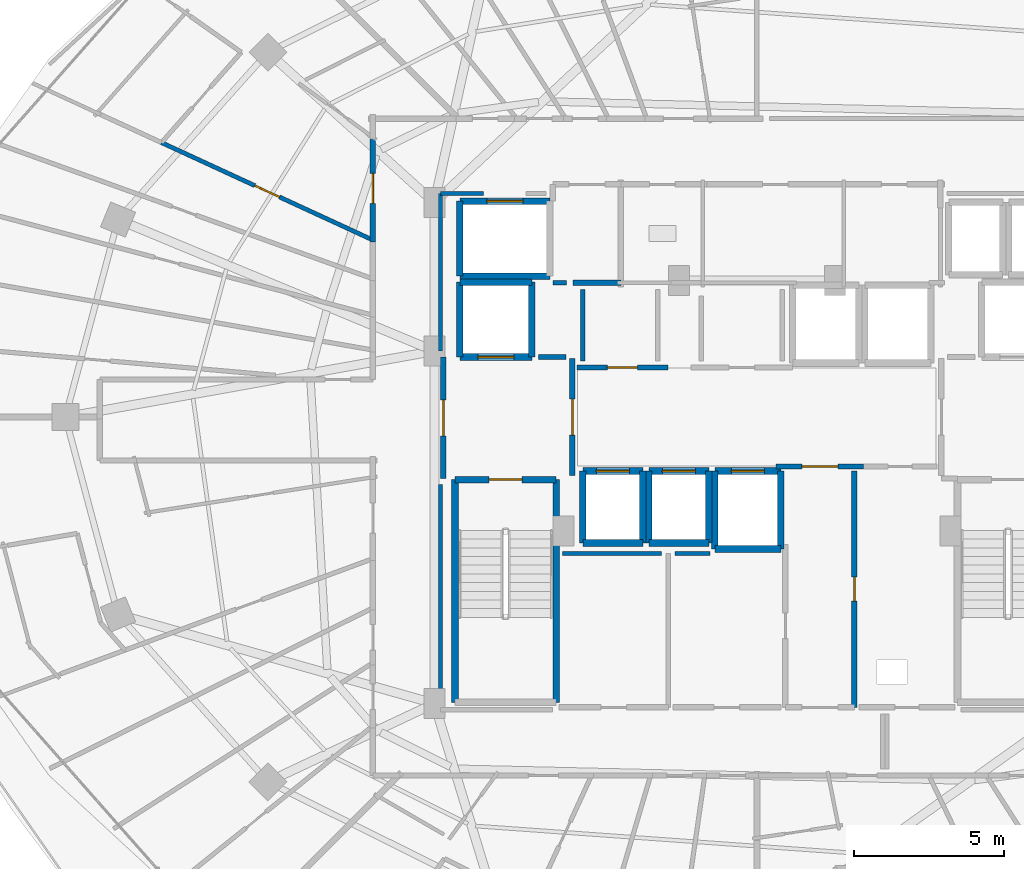
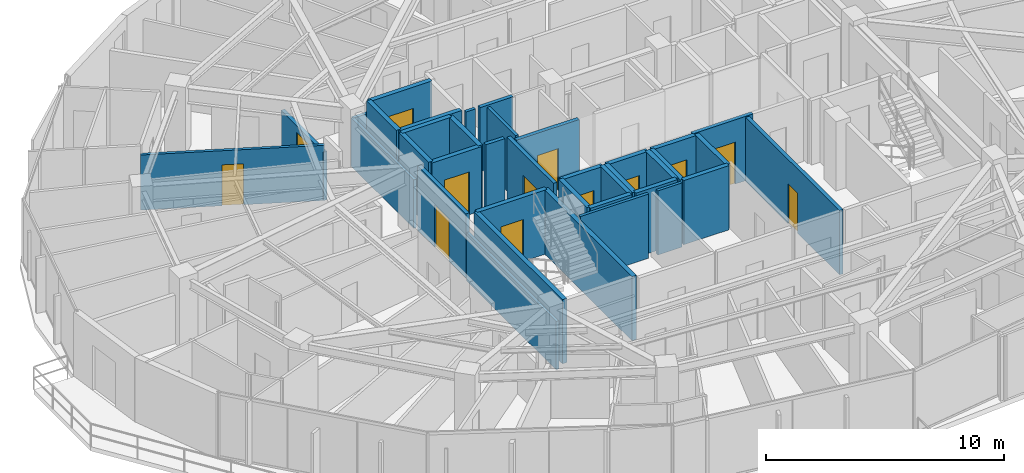
# One storey, part 26 of 33: 38 walls, 13 doors, 13 openings.
"""IFC4 building model written with IfcOpenShell, lengths in metres."""

from ifc_helpers import new_model, si_unit, direction, frame, frame_2d, origin, place, context, subcontext, project, spatial, rectangle, extrude, material, layer, layer_set, type_object, element, fill, save


model = new_model("IFC4")

# Units and contexts
model_context = context("Model", 3, precision=1e-05, world=origin(), true_north=direction((0.0, 1.0)))
body_context = subcontext(model_context, "Body", "Model", "MODEL_VIEW")
ifc_project = project(units=[si_unit("LENGTHUNIT", "METRE"), si_unit("AREAUNIT", "SQUARE_METRE"), si_unit("VOLUMEUNIT", "CUBIC_METRE"), si_unit("PLANEANGLEUNIT", "RADIAN"), si_unit("MASSUNIT", "GRAM", prefix="KILO")], contexts=[model_context])

# Site, building, storey
site_placement = place(None, origin())
site = spatial("IfcSite", under=ifc_project, at=site_placement, CompositionType="ELEMENT")
building_placement = place(site_placement, origin())
building = spatial("IfcBuilding", under=site, at=building_placement, Name="Vorneva Point Tower", CompositionType="ELEMENT")
storey_placement = place(building_placement, frame((0.0, 0.0, 200.10009765625)))
storey = spatial("IfcBuildingStorey", under=building, at=storey_placement, Name="L54", CompositionType="ELEMENT", Elevation=200.10009765625)

# Wall, opening, door
ifc_material_1 = material(Name="Concrete B60 (C50/60)", Category="concrete")
ifc_layer_1 = layer(ifc_material_1, 0.35009765625)
ifc_layer_set_1 = layer_set([ifc_layer_1], Name="Concrete B60 (C50/60)")
wall_type_1 = type_object("IfcWallType", Name="WL-CORE-350", PredefinedType="SHEAR", material=ifc_layer_set_1)
wall_1_placement = place(storey_placement, frame((28.10009765625, 28.0, 0.0), z_axis=(0.0, 0.0, 1.0), x_axis=(1.0, 0.0, 0.0)))
wall_1 = element("IfcWall", 1, at=wall_1_placement, inside=storey, type_object=wall_type_1, Name="L54 Lift FFL1 Shaft Wall -Y", PredefinedType="SHEAR", context=body_context, shape_type="SweptSolid", body=[
    extrude(rectangle(XDim=2.39990234375, YDim=0.219970703125, at=frame_2d((1.199951171875, 0.0))), origin(), (0.0, 0.0, 1.0), 3.289794921875),
])
opening_1_placement = place(wall_1_placement, frame((0.60009765625, 0.0, 0.0)))
opening_1 = element("IfcOpeningElement", 2, at=opening_1_placement, cuts=wall_1, Name="Opening LD-02", PredefinedType="OPENING", context=body_context, shape_type="SweptSolid", body=[
    extrude(rectangle(XDim=1.199951171875, YDim=2.199951171875, at=frame_2d((0.60009765625, 1.10009765625))), frame((0.0, 0.125, 0.0), z_axis=(0.0, -1.0, 0.0), x_axis=(1.0, 0.0, 0.0)), (0.0, 0.0, 1.0), 0.249755859375),
])
ifc_material_2 = material(Name="Brushed stainless steel S304", Category="steel")
door_type_1 = type_object("IfcDoorType", Name="LD-FIRE-1200", OperationType="SLIDING_TO_LEFT", PredefinedType="DOOR", material=ifc_material_2)
door_1_placement = place(opening_1_placement, origin())
door_1 = element("IfcDoor", 3, at=door_1_placement, inside=storey, type_object=door_type_1, Name="L54 Lift FFL1 Sliding Landing Door", OperationType="SLIDING_TO_LEFT", OverallHeight=2.199951171875, OverallWidth=1.199951171875, PredefinedType="DOOR", context=body_context, shape_type="SweptSolid", body=[
    extrude(rectangle(XDim=1.199951171875, YDim=2.199951171875, at=frame_2d((0.60009765625, 1.10009765625))), frame((0.0, 0.02490234375, 0.0), z_axis=(0.0, -1.0, 0.0), x_axis=(1.0, 0.0, 0.0)), (0.0, 0.0, 1.0), 0.050048828125),
])
fill(opening_1, door_1)

# Walls
wall_2_placement = place(storey_placement, frame((30.5, 28.0, 0.0), z_axis=(0.0, 0.0, 1.0), x_axis=(0.0, 1.0, 0.0)))
element("IfcWall", 4, at=wall_2_placement, inside=storey, type_object=wall_type_1, Name="L54 Lift FFL1 Shaft Wall +X", PredefinedType="SHEAR", context=body_context, shape_type="SweptSolid", body=[
    extrude(rectangle(XDim=2.5, YDim=0.219970703125, at=frame_2d((1.25, 0.0))), origin(), (0.0, 0.0, 1.0), 3.289794921875),
])
wall_3_placement = place(storey_placement, frame((30.5, 30.5, 0.0), z_axis=(0.0, 0.0, 1.0), x_axis=(-1.0, 0.0, 0.0)))
element("IfcWall", 5, at=wall_3_placement, inside=storey, type_object=wall_type_1, Name="L54 Lift FFL1 Shaft Wall +Y", PredefinedType="SHEAR", context=body_context, shape_type="SweptSolid", body=[
    extrude(rectangle(XDim=2.39990234375, YDim=0.219970703125, at=frame_2d((1.199951171875, 0.0))), origin(), (0.0, 0.0, 1.0), 3.289794921875),
])
wall_4_placement = place(storey_placement, frame((28.10009765625, 30.5, 0.0), z_axis=(0.0, 0.0, 1.0), x_axis=(0.0, -1.0, 0.0)))
element("IfcWall", 6, at=wall_4_placement, inside=storey, type_object=wall_type_1, Name="L54 Lift FFL1 Shaft Wall -X", PredefinedType="SHEAR", context=body_context, shape_type="SweptSolid", body=[
    extrude(rectangle(XDim=2.5, YDim=0.219970703125, at=frame_2d((1.25, 0.0))), origin(), (0.0, 0.0, 1.0), 3.289794921875),
])

# Wall, opening, door
ifc_material_3 = material(Name="Fire-rated acoustic gypsum stud partition", Category="gypsum")
ifc_layer_2 = layer(ifc_material_3, 0.139892578125)
ifc_layer_set_2 = layer_set([ifc_layer_2], Name="Fire-rated acoustic gypsum stud partition")
wall_type_2 = type_object("IfcWallType", Name="WL-PART-140", PredefinedType="PARTITIONING", material=ifc_layer_set_2)
wall_5_placement = place(storey_placement, frame((18.15185546875, 35.14990234375, 0.0), z_axis=(0.0, 0.0, 1.0), x_axis=(0.908152637685, -0.418639208227, 0.0)))
wall_5 = element("IfcWall", 7, at=wall_5_placement, inside=storey, type_object=wall_type_2, Name="L54 Interior Partition 094", PredefinedType="PARTITIONING", context=body_context, shape_type="SweptSolid", body=[
    extrude(rectangle(XDim=7.760986328125, YDim=0.139892578125, at=frame_2d((3.88037109375, 0.0))), origin(), (0.0, 0.0, 1.0), 2.823974609375),
])
opening_2_placement = place(wall_5_placement, frame((3.430419921875, 0.0, 0.0)))
opening_2 = element("IfcOpeningElement", 8, at=opening_2_placement, cuts=wall_5, Name="Opening ID-01", PredefinedType="OPENING", context=body_context, shape_type="SweptSolid", body=[
    extrude(rectangle(XDim=0.89990234375, YDim=2.10009765625, at=frame_2d((0.449951171875, 1.050048828125))), frame((0.0, 0.0849609375, 0.0), z_axis=(0.0, -1.0, 0.0), x_axis=(1.0, 0.0, 0.0)), (0.0, 0.0, 1.0), 0.169677734375),
])
ifc_material_4 = material(Name="Engineered oak fire-rated door leaf", Category="wood")
door_type_2 = type_object("IfcDoorType", Name="DR-ROOM-900", OperationType="NOTDEFINED", PredefinedType="DOOR", material=ifc_material_4)
door_2_placement = place(opening_2_placement, origin())
door_2 = element("IfcDoor", 9, at=door_2_placement, inside=storey, type_object=door_type_2, Name="L54 Door Living and Dining Room L54-02 / Master Bedroom L54-02.1", OperationType="SINGLE_SWING_RIGHT", OverallHeight=2.10009765625, OverallWidth=0.89990234375, PredefinedType="DOOR", context=body_context, shape_type="SweptSolid", body=[
    extrude(rectangle(XDim=0.89990234375, YDim=2.10009765625, at=frame_2d((0.449951171875, 1.050048828125))), frame((0.0, 0.02490234375, 0.0), z_axis=(0.0, -1.0, 0.0), x_axis=(1.0, 0.0, 0.0)), (0.0, 0.0, 1.0), 0.050048828125),
])
fill(opening_2, door_2)

# Walls
wall_6_placement = place(storey_placement, frame((31.199951171875, 30.47998046875, 0.0), z_axis=(0.0, 0.0, 1.0), x_axis=(1.0, 0.0, 0.0)))
element("IfcWall", 10, at=wall_6_placement, inside=storey, type_object=wall_type_2, Name="L54 Interior Closure Partition 154", PredefinedType="PARTITIONING", context=body_context, shape_type="SweptSolid", body=[
    extrude(rectangle(XDim=0.449951171875, YDim=0.139892578125, at=frame_2d((0.22509765625, 0.0))), origin(), (0.0, 0.0, 1.0), 3.289794921875),
])
wall_7_placement = place(storey_placement, frame((34.830078125, 21.449951171875, 0.0), z_axis=(0.0, 0.0, 1.0), x_axis=(-1.0, 0.0, 0.0)))
element("IfcWall", 11, at=wall_7_placement, inside=storey, type_object=wall_type_2, Name="L54 Interior Closure Partition 158", PredefinedType="PARTITIONING", context=body_context, shape_type="SweptSolid", body=[
    extrude(rectangle(XDim=3.300048828125, YDim=0.139892578125, at=frame_2d((1.64990234375, 0.0))), origin(), (0.0, 0.0, 1.0), 3.289794921875),
])
wall_8_placement = place(storey_placement, frame((36.43896484375, 21.449951171875, 0.0), z_axis=(0.0, 0.0, 1.0), x_axis=(-1.0, 0.0, 0.0)))
element("IfcWall", 12, at=wall_8_placement, inside=storey, type_object=wall_type_2, Name="L54 Interior Closure Partition 159", PredefinedType="PARTITIONING", context=body_context, shape_type="SweptSolid", body=[
    extrude(rectangle(XDim=1.158935546875, YDim=0.139892578125, at=frame_2d((0.57958984375, 0.0))), origin(), (0.0, 0.0, 1.0), 3.289794921875),
])
wall_9_placement = place(storey_placement, frame((32.199951171875, 30.260009765625, 0.0), z_axis=(0.0, 0.0, 1.0), x_axis=(0.0, -1.0, 0.0)))
element("IfcWall", 13, at=wall_9_placement, inside=storey, type_object=wall_type_2, Name="L54 Interior Closure Partition 160", PredefinedType="PARTITIONING", context=body_context, shape_type="SweptSolid", body=[
    extrude(rectangle(XDim=2.389892578125, YDim=0.139892578125, at=frame_2d((1.19482421875, 0.0))), origin(), (0.0, 0.0, 1.0), 3.289794921875),
])
wall_10_placement = place(storey_placement, frame((28.89404296875, 33.449951171875, 0.0), z_axis=(0.0, 0.0, 1.0), x_axis=(-1.0, 0.0, 0.0)))
element("IfcWall", 14, at=wall_10_placement, inside=storey, type_object=wall_type_2, Name="L54 Interior Closure Partition 169", PredefinedType="PARTITIONING", context=body_context, shape_type="SweptSolid", body=[
    extrude(rectangle(XDim=1.444091796875, YDim=0.139892578125, at=frame_2d((0.72216796875, 0.0))), origin(), (0.0, 0.0, 1.0), 2.48193359375),
])
wall_11_placement = place(storey_placement, frame((27.449951171875, 33.449951171875, 0.0), z_axis=(0.0, 0.0, 1.0), x_axis=(0.0, -1.0, 0.0)))
element("IfcWall", 15, at=wall_11_placement, inside=storey, type_object=wall_type_2, Name="L54 Interior Closure Partition 170", PredefinedType="PARTITIONING", context=body_context, shape_type="SweptSolid", body=[
    extrude(rectangle(XDim=5.25390625, YDim=0.139892578125, at=frame_2d((2.626953125, 0.0))), origin(), (0.0, 0.0, 1.0), 2.48193359375),
])
wall_12_placement = place(storey_placement, frame((27.449951171875, 23.75390625, 0.0), z_axis=(0.0, 0.0, 1.0), x_axis=(0.0, -1.0, 0.0)))
element("IfcWall", 16, at=wall_12_placement, inside=storey, type_object=wall_type_2, Name="L54 Interior Closure Partition 171", PredefinedType="PARTITIONING", context=body_context, shape_type="SweptSolid", body=[
    extrude(rectangle(XDim=7.513916015625, YDim=0.139892578125, at=frame_2d((3.7568359375, 0.0))), origin(), (0.0, 0.0, 1.0), 2.48193359375),
])

# Wall, opening, door
ifc_material_5 = material(Name="Autoclaved aerated concrete blockwork", Category="masonry")
ifc_layer_3 = layer(ifc_material_5, 0.179931640625)
ifc_layer_set_3 = layer_set([ifc_layer_3], Name="Autoclaved aerated concrete blockwork")
wall_type_3 = type_object("IfcWallType", Name="WL-PART-180", PredefinedType="PARTITIONING", material=ifc_layer_set_3)
wall_13_placement = place(storey_placement, frame((31.85009765625, 24.044921875, 0.0), z_axis=(0.0, 0.0, 1.0), x_axis=(0.0, 1.0, 0.0)))
wall_13 = element("IfcWall", 17, at=wall_13_placement, inside=storey, type_object=wall_type_3, Name="L54 Interior Partition 001", PredefinedType="PARTITIONING", context=body_context, shape_type="SweptSolid", body=[
    extrude(rectangle(XDim=3.91015625, YDim=0.179931640625, at=frame_2d((1.955078125, 0.0))), origin(), (0.0, 0.0, 1.0), 3.289794921875),
])
opening_3_placement = place(wall_13_placement, frame((1.35498046875, 0.0, 0.0)))
opening_3 = element("IfcOpeningElement", 18, at=opening_3_placement, cuts=wall_13, Name="Opening FD-02", PredefinedType="OPENING", context=body_context, shape_type="SweptSolid", body=[
    extrude(rectangle(XDim=1.199951171875, YDim=2.14990234375, at=frame_2d((0.60009765625, 1.074951171875))), frame((0.0, 0.10498046875, 0.0), z_axis=(0.0, -1.0, 0.0), x_axis=(1.0, 0.0, 0.0)), (0.0, 0.0, 1.0), 0.209716796875),
])
ifc_material_6 = material(Name="Fire-rated powder-coated steel", Category="steel")
door_type_3 = type_object("IfcDoorType", Name="DR-FFL-1200", OperationType="NOTDEFINED", PredefinedType="DOOR", material=ifc_material_6)
door_3_placement = place(opening_3_placement, origin())
door_3 = element("IfcDoor", 19, at=door_3_placement, inside=storey, type_object=door_type_3, Name="L54 Door West Firefighting Lobby / Central Lift Lobby", OperationType="SINGLE_SWING_RIGHT", OverallHeight=2.14990234375, OverallWidth=1.199951171875, PredefinedType="DOOR", context=body_context, shape_type="SweptSolid", body=[
    extrude(rectangle(XDim=1.199951171875, YDim=2.14990234375, at=frame_2d((0.60009765625, 1.074951171875))), frame((0.0, 0.02490234375, 0.0), z_axis=(0.0, -1.0, 0.0), x_axis=(1.0, 0.0, 0.0)), (0.0, 0.0, 1.0), 0.050048828125),
])
fill(opening_3, door_3)

wall_14_placement = place(storey_placement, frame((27.550048828125, 28.0, 0.0), z_axis=(0.0, 0.0, 1.0), x_axis=(0.0, -1.0, 0.0)))
wall_14 = element("IfcWall", 20, at=wall_14_placement, inside=storey, type_object=wall_type_3, Name="L54 Interior Partition 002", PredefinedType="PARTITIONING", context=body_context, shape_type="SweptSolid", body=[
    extrude(rectangle(XDim=4.050048828125, YDim=0.179931640625, at=frame_2d((2.02490234375, 0.0))), origin(), (0.0, 0.0, 1.0), 3.289794921875),
])
opening_4_placement = place(wall_14_placement, frame((1.425048828125, 0.0, 0.0)))
opening_4 = element("IfcOpeningElement", 21, at=opening_4_placement, cuts=wall_14, Name="Opening FD-02", PredefinedType="OPENING", context=body_context, shape_type="SweptSolid", body=[
    extrude(rectangle(XDim=1.199951171875, YDim=2.14990234375, at=frame_2d((0.60009765625, 1.074951171875))), frame((0.0, 0.10498046875, 0.0), z_axis=(0.0, -1.0, 0.0), x_axis=(1.0, 0.0, 0.0)), (0.0, 0.0, 1.0), 0.209716796875),
])
door_4_placement = place(opening_4_placement, origin())
door_4 = element("IfcDoor", 22, at=door_4_placement, inside=storey, type_object=door_type_3, Name="L54 Door West Firefighting Lobby / L54 Circulation Corridor", OperationType="SINGLE_SWING_RIGHT", OverallHeight=2.14990234375, OverallWidth=1.199951171875, PredefinedType="DOOR", context=body_context, shape_type="SweptSolid", body=[
    extrude(rectangle(XDim=1.199951171875, YDim=2.14990234375, at=frame_2d((0.60009765625, 1.074951171875))), frame((0.0, 0.02490234375, 0.0), z_axis=(0.0, -1.0, 0.0), x_axis=(1.0, 0.0, 0.0)), (0.0, 0.0, 1.0), 0.050048828125),
])
fill(opening_4, door_4)

# Wall
wall_15_placement = place(storey_placement, frame((31.8701171875, 30.47998046875, 0.0), z_axis=(0.0, 0.0, 1.0), x_axis=(1.0, 0.0, 0.0)))
element("IfcWall", 23, at=wall_15_placement, inside=storey, type_object=wall_type_3, Name="L54 Interior Partition 007", PredefinedType="PARTITIONING", context=body_context, shape_type="SweptSolid", body=[
    extrude(rectangle(XDim=1.599853515625, YDim=0.179931640625, at=frame_2d((0.7998046875, 0.0))), origin(), (0.0, 0.0, 1.0), 3.289794921875),
])

# Wall, opening, door
wall_16_placement = place(storey_placement, frame((38.64501953125, 24.35009765625, 0.0), z_axis=(0.0, 0.0, 1.0), x_axis=(1.0, 0.0, 0.0)))
wall_16 = element("IfcWall", 24, at=wall_16_placement, inside=storey, type_object=wall_type_3, Name="L54 Interior Partition 010", PredefinedType="PARTITIONING", context=body_context, shape_type="SweptSolid", body=[
    extrude(rectangle(XDim=2.909912109375, YDim=0.179931640625, at=frame_2d((1.455078125, 0.0))), origin(), (0.0, 0.0, 1.0), 3.289794921875),
])
opening_5_placement = place(wall_16_placement, frame((0.85498046875, 0.0, 0.0)))
opening_5 = element("IfcOpeningElement", 25, at=opening_5_placement, cuts=wall_16, Name="Opening FD-02", PredefinedType="OPENING", context=body_context, shape_type="SweptSolid", body=[
    extrude(rectangle(XDim=1.199951171875, YDim=2.14990234375, at=frame_2d((0.60009765625, 1.074951171875))), frame((0.0, 0.10498046875, 0.0), z_axis=(0.0, -1.0, 0.0), x_axis=(1.0, 0.0, 0.0)), (0.0, 0.0, 1.0), 0.209716796875),
])
door_5_placement = place(opening_5_placement, origin())
door_5 = element("IfcDoor", 26, at=door_5_placement, inside=storey, type_object=door_type_3, Name="L54 Door Central Lift Lobby / Core Service Lobby", OperationType="SINGLE_SWING_LEFT", OverallHeight=2.14990234375, OverallWidth=1.199951171875, PredefinedType="DOOR", context=body_context, shape_type="SweptSolid", body=[
    extrude(rectangle(XDim=1.199951171875, YDim=2.14990234375, at=frame_2d((0.60009765625, 1.074951171875))), frame((0.0, 0.02490234375, 0.0), z_axis=(0.0, -1.0, 0.0), x_axis=(1.0, 0.0, 0.0)), (0.0, 0.0, 1.0), 0.050048828125),
])
fill(opening_5, door_5)

wall_17_placement = place(storey_placement, frame((35.0400390625, 27.64990234375, 0.0), z_axis=(0.0, 0.0, 1.0), x_axis=(-1.0, 0.0, 0.0)))
wall_17 = element("IfcWall", 27, at=wall_17_placement, inside=storey, type_object=wall_type_3, Name="L54 Interior Partition 012", PredefinedType="PARTITIONING", context=body_context, shape_type="SweptSolid", body=[
    extrude(rectangle(XDim=3.0400390625, YDim=0.179931640625, at=frame_2d((1.52001953125, 0.0))), origin(), (0.0, 0.0, 1.0), 3.289794921875),
])
opening_6_placement = place(wall_17_placement, frame((1.02001953125, 0.0, 0.0)))
opening_6 = element("IfcOpeningElement", 28, at=opening_6_placement, cuts=wall_17, Name="Opening UD-01", PredefinedType="OPENING", context=body_context, shape_type="SweptSolid", body=[
    extrude(rectangle(XDim=1.0, YDim=2.14990234375, at=frame_2d((0.5, 1.074951171875))), frame((0.0, 0.10498046875, 0.0), z_axis=(0.0, -1.0, 0.0), x_axis=(1.0, 0.0, 0.0)), (0.0, 0.0, 1.0), 0.209716796875),
])
door_type_4 = type_object("IfcDoorType", Name="DR-UNIT-1000", OperationType="NOTDEFINED", PredefinedType="DOOR", material=ifc_material_4)
door_6_placement = place(opening_6_placement, origin())
door_6 = element("IfcDoor", 29, at=door_6_placement, inside=storey, type_object=door_type_4, Name="L54 Door Central Lift Lobby / Reclaimed Core Lounge", OperationType="SINGLE_SWING_LEFT", OverallHeight=2.14990234375, OverallWidth=1.0, PredefinedType="DOOR", context=body_context, shape_type="SweptSolid", body=[
    extrude(rectangle(XDim=1.0, YDim=2.14990234375, at=frame_2d((0.5, 1.074951171875))), frame((0.0, 0.02490234375, 0.0), z_axis=(0.0, -1.0, 0.0), x_axis=(1.0, 0.0, 0.0)), (0.0, 0.0, 1.0), 0.050048828125),
])
fill(opening_6, door_6)

wall_18_placement = place(storey_placement, frame((41.25, 16.320068359375, 0.0), z_axis=(0.0, 0.0, 1.0), x_axis=(0.0, 1.0, 0.0)))
wall_18 = element("IfcWall", 30, at=wall_18_placement, inside=storey, type_object=wall_type_3, Name="L54 Interior Partition 014", PredefinedType="PARTITIONING", context=body_context, shape_type="SweptSolid", body=[
    extrude(rectangle(XDim=7.8798828125, YDim=0.179931640625, at=frame_2d((3.93994140625, 0.0))), origin(), (0.0, 0.0, 1.0), 3.289794921875),
])
opening_7_placement = place(wall_18_placement, frame((3.5400390625, 0.0, 0.0)))
opening_7 = element("IfcOpeningElement", 31, at=opening_7_placement, cuts=wall_18, Name="Opening RD-01", PredefinedType="OPENING", context=body_context, shape_type="SweptSolid", body=[
    extrude(rectangle(XDim=0.800048828125, YDim=2.050048828125, at=frame_2d((0.39990234375, 1.02490234375))), frame((0.0, 0.10498046875, 0.0), z_axis=(0.0, -1.0, 0.0), x_axis=(1.0, 0.0, 0.0)), (0.0, 0.0, 1.0), 0.209716796875),
])
door_type_5 = type_object("IfcDoorType", Name="DR-RSR-800", OperationType="SINGLE_SWING_LEFT", PredefinedType="DOOR", material=ifc_material_6)
door_7_placement = place(opening_7_placement, origin())
door_7 = element("IfcDoor", 32, at=door_7_placement, inside=storey, type_object=door_type_5, Name="L54 Door Core Service Lobby / Electrical Riser", OperationType="SINGLE_SWING_LEFT", OverallHeight=2.050048828125, OverallWidth=0.800048828125, PredefinedType="DOOR", context=body_context, shape_type="SweptSolid", body=[
    extrude(rectangle(XDim=0.800048828125, YDim=2.050048828125, at=frame_2d((0.39990234375, 1.02490234375))), frame((0.0, 0.02490234375, 0.0), z_axis=(0.0, -1.0, 0.0), x_axis=(1.0, 0.0, 0.0)), (0.0, 0.0, 1.0), 0.050048828125),
])
fill(opening_7, door_7)

wall_19_placement = place(storey_placement, frame((25.199951171875, 35.404052734375, 0.0), z_axis=(0.0, 0.0, 1.0), x_axis=(0.0, -1.0, 0.0)))
wall_19 = element("IfcWall", 33, at=wall_19_placement, inside=storey, type_object=wall_type_3, Name="L54 Interior Partition 035", PredefinedType="PARTITIONING", context=body_context, shape_type="SweptSolid", body=[
    extrude(rectangle(XDim=3.56298828125, YDim=0.179931640625, at=frame_2d((1.781494140625, 0.0))), origin(), (0.0, 0.0, 1.0), 2.48193359375),
])
opening_8_placement = place(wall_19_placement, frame((1.281494140625, 0.0, 0.0)))
opening_8 = element("IfcOpeningElement", 34, at=opening_8_placement, cuts=wall_19, Name="Opening UD-01", PredefinedType="OPENING", context=body_context, shape_type="SweptSolid", body=[
    extrude(rectangle(XDim=1.0, YDim=2.14990234375, at=frame_2d((0.5, 1.074951171875))), frame((0.0, 0.10498046875, 0.0), z_axis=(0.0, -1.0, 0.0), x_axis=(1.0, 0.0, 0.0)), (0.0, 0.0, 1.0), 0.209716796875),
])
door_8_placement = place(opening_8_placement, origin())
door_8 = element("IfcDoor", 35, at=door_8_placement, inside=storey, type_object=door_type_4, Name="L54 Door L54 Circulation Corridor / Living and Dining Room L54-02", OperationType="SINGLE_SWING_LEFT", OverallHeight=2.14990234375, OverallWidth=1.0, PredefinedType="DOOR", context=body_context, shape_type="SweptSolid", body=[
    extrude(rectangle(XDim=1.0, YDim=2.14990234375, at=frame_2d((0.5, 1.074951171875))), frame((0.0, 0.02490234375, 0.0), z_axis=(0.0, -1.0, 0.0), x_axis=(1.0, 0.0, 0.0)), (0.0, 0.0, 1.0), 0.050048828125),
])
fill(opening_8, door_8)

# Wall
wall_20_placement = place(storey_placement, frame((31.635009765625, 28.0, 0.0), z_axis=(0.0, 0.0, 1.0), x_axis=(-1.0, 0.0, 0.0)))
element("IfcWall", 36, at=wall_20_placement, inside=storey, type_object=wall_type_3, Name="L54 Interior Closure Partition 152", PredefinedType="PARTITIONING", context=body_context, shape_type="SweptSolid", body=[
    extrude(rectangle(XDim=0.9150390625, YDim=0.179931640625, at=frame_2d((0.45751953125, 0.0))), origin(), (0.0, 0.0, 1.0), 3.289794921875),
])

# Wall, opening, door
ifc_material_7 = material(Name="Concrete B50 (C40/50)", Category="concrete")
ifc_layer_4 = layer(ifc_material_7, 0.219970703125)
ifc_layer_set_4 = layer_set([ifc_layer_4], Name="Concrete B50 (C40/50)")
wall_type_4 = type_object("IfcWallType", Name="WL-SHFT-220", PredefinedType="SOLIDWALL", material=ifc_layer_set_4)
wall_21_placement = place(storey_placement, frame((27.93994140625, 23.909912109375, 0.0), z_axis=(0.0, 0.0, 1.0), x_axis=(1.0, 0.0, 0.0)))
wall_21 = element("IfcWall", 37, at=wall_21_placement, inside=storey, type_object=wall_type_4, Name="L54 Exit Stair ST1 Shaft Wall near", PredefinedType="SOLIDWALL", context=body_context, shape_type="SweptSolid", body=[
    extrude(rectangle(XDim=3.3701171875, YDim=0.219970703125, at=frame_2d((1.68505859375, 0.0))), origin(), (0.0, 0.0, 1.0), 3.289794921875),
])
opening_9_placement = place(wall_21_placement, frame((1.135009765625, 0.0, 0.0)))
opening_9 = element("IfcOpeningElement", 38, at=opening_9_placement, cuts=wall_21, Name="Opening FD-01", PredefinedType="OPENING", context=body_context, shape_type="SweptSolid", body=[
    extrude(rectangle(XDim=1.10009765625, YDim=2.14990234375, at=frame_2d((0.550048828125, 1.074951171875))), frame((0.0, 0.125, 0.0), z_axis=(0.0, -1.0, 0.0), x_axis=(1.0, 0.0, 0.0)), (0.0, 0.0, 1.0), 0.249755859375),
])
door_type_6 = type_object("IfcDoorType", Name="DR-STAIR-1100", OperationType="NOTDEFINED", PredefinedType="DOOR", material=ifc_material_6)
door_9_placement = place(opening_9_placement, origin())
door_9 = element("IfcDoor", 39, at=door_9_placement, inside=storey, type_object=door_type_6, Name="L54 Exit Stair ST1 Fire Door", OperationType="SINGLE_SWING_RIGHT", OverallHeight=2.14990234375, OverallWidth=1.10009765625, PredefinedType="DOOR", context=body_context, shape_type="SweptSolid", body=[
    extrude(rectangle(XDim=1.10009765625, YDim=2.14990234375, at=frame_2d((0.550048828125, 1.074951171875))), frame((0.0, 0.02490234375, 0.0), z_axis=(0.0, -1.0, 0.0), x_axis=(1.0, 0.0, 0.0)), (0.0, 0.0, 1.0), 0.050048828125),
])
fill(opening_9, door_9)

# Walls
for number, where, z_axis, x_axis, name in (
    (40, (31.31005859375, 23.909912109375, 0.0), (0.0, 0.0, 1.0), (0.0, -1.0, 0.0), "L54 Exit Stair ST1 Shaft Wall right"),
    (41, (27.93994140625, 16.489990234375, 0.0), (0.0, 0.0, 1.0), (0.0, 1.0, 0.0), "L54 Exit Stair ST1 Shaft Wall left"),
):
    element("IfcWall", number, at=place(storey_placement, frame(where, z_axis=z_axis, x_axis=x_axis)), inside=storey, type_object=wall_type_4, Name=name, PredefinedType="SOLIDWALL", context=body_context, shape_type="SweptSolid", body=[
        extrude(rectangle(XDim=7.419921875, YDim=0.219970703125, at=frame_2d((3.7099609375, 0.0))), origin(), (0.0, 0.0, 1.0), 3.289794921875),
    ])
wall_22_placement = place(storey_placement, frame((32.199951171875, 21.800048828125, 0.0), z_axis=(0.0, 0.0, 1.0), x_axis=(1.0, 0.0, 0.0)))
element("IfcWall", 42, at=wall_22_placement, inside=storey, type_object=wall_type_4, Name="L54 Lift PL4 Shaft Wall -Y", PredefinedType="SOLIDWALL", context=body_context, shape_type="SweptSolid", body=[
    extrude(rectangle(XDim=2.0, YDim=0.219970703125, at=frame_2d((1.0, 0.0))), origin(), (0.0, 0.0, 1.0), 3.289794921875),
])
wall_23_placement = place(storey_placement, frame((34.199951171875, 21.800048828125, 0.0), z_axis=(0.0, 0.0, 1.0), x_axis=(0.0, 1.0, 0.0)))
element("IfcWall", 43, at=wall_23_placement, inside=storey, type_object=wall_type_4, Name="L54 Lift PL4 Shaft Wall +X", PredefinedType="SOLIDWALL", context=body_context, shape_type="SweptSolid", body=[
    extrude(rectangle(XDim=2.39990234375, YDim=0.219970703125, at=frame_2d((1.199951171875, 0.0))), origin(), (0.0, 0.0, 1.0), 3.289794921875),
])

# Wall, opening, door
wall_24_placement = place(storey_placement, frame((34.199951171875, 24.199951171875, 0.0), z_axis=(0.0, 0.0, 1.0), x_axis=(-1.0, 0.0, 0.0)))
wall_24 = element("IfcWall", 44, at=wall_24_placement, inside=storey, type_object=wall_type_4, Name="L54 Lift PL4 Shaft Wall +Y", PredefinedType="SOLIDWALL", context=body_context, shape_type="SweptSolid", body=[
    extrude(rectangle(XDim=2.0, YDim=0.219970703125, at=frame_2d((1.0, 0.0))), origin(), (0.0, 0.0, 1.0), 3.289794921875),
])
opening_10_placement = place(wall_24_placement, frame((0.449951171875, 0.0, 0.0)))
opening_10 = element("IfcOpeningElement", 45, at=opening_10_placement, cuts=wall_24, Name="Opening LD-01", PredefinedType="OPENING", context=body_context, shape_type="SweptSolid", body=[
    extrude(rectangle(XDim=1.10009765625, YDim=2.199951171875, at=frame_2d((0.550048828125, 1.10009765625))), frame((0.0, 0.125, 0.0), z_axis=(0.0, -1.0, 0.0), x_axis=(1.0, 0.0, 0.0)), (0.0, 0.0, 1.0), 0.249755859375),
])
door_type_7 = type_object("IfcDoorType", Name="LD-PASS-1100", OperationType="SLIDING_TO_LEFT", PredefinedType="DOOR", material=ifc_material_2)
door_10_placement = place(opening_10_placement, origin())
door_10 = element("IfcDoor", 46, at=door_10_placement, inside=storey, type_object=door_type_7, Name="L54 Lift PL4 Sliding Landing Door", OperationType="SLIDING_TO_LEFT", OverallHeight=2.199951171875, OverallWidth=1.10009765625, PredefinedType="DOOR", context=body_context, shape_type="SweptSolid", body=[
    extrude(rectangle(XDim=1.10009765625, YDim=2.199951171875, at=frame_2d((0.550048828125, 1.10009765625))), frame((0.0, 0.02490234375, 0.0), z_axis=(0.0, -1.0, 0.0), x_axis=(1.0, 0.0, 0.0)), (0.0, 0.0, 1.0), 0.050048828125),
])
fill(opening_10, door_10)

# Walls
wall_25_placement = place(storey_placement, frame((32.199951171875, 24.199951171875, 0.0), z_axis=(0.0, 0.0, 1.0), x_axis=(0.0, -1.0, 0.0)))
element("IfcWall", 47, at=wall_25_placement, inside=storey, type_object=wall_type_4, Name="L54 Lift PL4 Shaft Wall -X", PredefinedType="SOLIDWALL", context=body_context, shape_type="SweptSolid", body=[
    extrude(rectangle(XDim=2.39990234375, YDim=0.219970703125, at=frame_2d((1.199951171875, 0.0))), origin(), (0.0, 0.0, 1.0), 3.289794921875),
])
wall_26_placement = place(storey_placement, frame((34.39990234375, 21.800048828125, 0.0), z_axis=(0.0, 0.0, 1.0), x_axis=(1.0, 0.0, 0.0)))
element("IfcWall", 48, at=wall_26_placement, inside=storey, type_object=wall_type_4, Name="L54 Lift PL5 Shaft Wall -Y", PredefinedType="SOLIDWALL", context=body_context, shape_type="SweptSolid", body=[
    extrude(rectangle(XDim=2.0, YDim=0.219970703125, at=frame_2d((1.0, 0.0))), origin(), (0.0, 0.0, 1.0), 3.289794921875),
])
wall_27_placement = place(storey_placement, frame((36.39990234375, 21.800048828125, 0.0), z_axis=(0.0, 0.0, 1.0), x_axis=(0.0, 1.0, 0.0)))
element("IfcWall", 49, at=wall_27_placement, inside=storey, type_object=wall_type_4, Name="L54 Lift PL5 Shaft Wall +X", PredefinedType="SOLIDWALL", context=body_context, shape_type="SweptSolid", body=[
    extrude(rectangle(XDim=2.39990234375, YDim=0.219970703125, at=frame_2d((1.199951171875, 0.0))), origin(), (0.0, 0.0, 1.0), 3.289794921875),
])

# Wall, opening, door
wall_28_placement = place(storey_placement, frame((36.39990234375, 24.199951171875, 0.0), z_axis=(0.0, 0.0, 1.0), x_axis=(-1.0, 0.0, 0.0)))
wall_28 = element("IfcWall", 50, at=wall_28_placement, inside=storey, type_object=wall_type_4, Name="L54 Lift PL5 Shaft Wall +Y", PredefinedType="SOLIDWALL", context=body_context, shape_type="SweptSolid", body=[
    extrude(rectangle(XDim=2.0, YDim=0.219970703125, at=frame_2d((1.0, 0.0))), origin(), (0.0, 0.0, 1.0), 3.289794921875),
])
opening_11_placement = place(wall_28_placement, frame((0.449951171875, 0.0, 0.0)))
opening_11 = element("IfcOpeningElement", 51, at=opening_11_placement, cuts=wall_28, Name="Opening LD-01", PredefinedType="OPENING", context=body_context, shape_type="SweptSolid", body=[
    extrude(rectangle(XDim=1.10009765625, YDim=2.199951171875, at=frame_2d((0.550048828125, 1.10009765625))), frame((0.0, 0.125, 0.0), z_axis=(0.0, -1.0, 0.0), x_axis=(1.0, 0.0, 0.0)), (0.0, 0.0, 1.0), 0.249755859375),
])
door_11_placement = place(opening_11_placement, origin())
door_11 = element("IfcDoor", 52, at=door_11_placement, inside=storey, type_object=door_type_7, Name="L54 Lift PL5 Sliding Landing Door", OperationType="SLIDING_TO_LEFT", OverallHeight=2.199951171875, OverallWidth=1.10009765625, PredefinedType="DOOR", context=body_context, shape_type="SweptSolid", body=[
    extrude(rectangle(XDim=1.10009765625, YDim=2.199951171875, at=frame_2d((0.550048828125, 1.10009765625))), frame((0.0, 0.02490234375, 0.0), z_axis=(0.0, -1.0, 0.0), x_axis=(1.0, 0.0, 0.0)), (0.0, 0.0, 1.0), 0.050048828125),
])
fill(opening_11, door_11)

# Walls
wall_29_placement = place(storey_placement, frame((34.39990234375, 24.199951171875, 0.0), z_axis=(0.0, 0.0, 1.0), x_axis=(0.0, -1.0, 0.0)))
element("IfcWall", 53, at=wall_29_placement, inside=storey, type_object=wall_type_4, Name="L54 Lift PL5 Shaft Wall -X", PredefinedType="SOLIDWALL", context=body_context, shape_type="SweptSolid", body=[
    extrude(rectangle(XDim=2.39990234375, YDim=0.219970703125, at=frame_2d((1.199951171875, 0.0))), origin(), (0.0, 0.0, 1.0), 3.289794921875),
])
wall_30_placement = place(storey_placement, frame((36.60009765625, 21.60009765625, 0.0), z_axis=(0.0, 0.0, 1.0), x_axis=(1.0, 0.0, 0.0)))
element("IfcWall", 54, at=wall_30_placement, inside=storey, type_object=wall_type_4, Name="L54 Lift PL6 Shaft Wall -Y", PredefinedType="SOLIDWALL", context=body_context, shape_type="SweptSolid", body=[
    extrude(rectangle(XDim=2.199951171875, YDim=0.219970703125, at=frame_2d((1.10009765625, 0.0))), origin(), (0.0, 0.0, 1.0), 3.289794921875),
])
wall_31_placement = place(storey_placement, frame((38.800048828125, 21.60009765625, 0.0), z_axis=(0.0, 0.0, 1.0), x_axis=(0.0, 1.0, 0.0)))
element("IfcWall", 55, at=wall_31_placement, inside=storey, type_object=wall_type_4, Name="L54 Lift PL6 Shaft Wall +X", PredefinedType="SOLIDWALL", context=body_context, shape_type="SweptSolid", body=[
    extrude(rectangle(XDim=2.599853515625, YDim=0.219970703125, at=frame_2d((1.2998046875, 0.0))), origin(), (0.0, 0.0, 1.0), 3.289794921875),
])

# Wall, opening, door
wall_32_placement = place(storey_placement, frame((38.800048828125, 24.199951171875, 0.0), z_axis=(0.0, 0.0, 1.0), x_axis=(-1.0, 0.0, 0.0)))
wall_32 = element("IfcWall", 56, at=wall_32_placement, inside=storey, type_object=wall_type_4, Name="L54 Lift PL6 Shaft Wall +Y", PredefinedType="SOLIDWALL", context=body_context, shape_type="SweptSolid", body=[
    extrude(rectangle(XDim=2.199951171875, YDim=0.219970703125, at=frame_2d((1.10009765625, 0.0))), origin(), (0.0, 0.0, 1.0), 3.289794921875),
])
opening_12_placement = place(wall_32_placement, frame((0.550048828125, 0.0, 0.0)))
opening_12 = element("IfcOpeningElement", 57, at=opening_12_placement, cuts=wall_32, Name="Opening LD-01", PredefinedType="OPENING", context=body_context, shape_type="SweptSolid", body=[
    extrude(rectangle(XDim=1.10009765625, YDim=2.199951171875, at=frame_2d((0.550048828125, 1.10009765625))), frame((0.0, 0.125, 0.0), z_axis=(0.0, -1.0, 0.0), x_axis=(1.0, 0.0, 0.0)), (0.0, 0.0, 1.0), 0.249755859375),
])
door_12_placement = place(opening_12_placement, origin())
door_12 = element("IfcDoor", 58, at=door_12_placement, inside=storey, type_object=door_type_7, Name="L54 Lift PL6 Sliding Landing Door", OperationType="SLIDING_TO_LEFT", OverallHeight=2.199951171875, OverallWidth=1.10009765625, PredefinedType="DOOR", context=body_context, shape_type="SweptSolid", body=[
    extrude(rectangle(XDim=1.10009765625, YDim=2.199951171875, at=frame_2d((0.550048828125, 1.10009765625))), frame((0.0, 0.02490234375, 0.0), z_axis=(0.0, -1.0, 0.0), x_axis=(1.0, 0.0, 0.0)), (0.0, 0.0, 1.0), 0.050048828125),
])
fill(opening_12, door_12)

# Walls
wall_33_placement = place(storey_placement, frame((36.60009765625, 24.199951171875, 0.0), z_axis=(0.0, 0.0, 1.0), x_axis=(0.0, -1.0, 0.0)))
element("IfcWall", 59, at=wall_33_placement, inside=storey, type_object=wall_type_4, Name="L54 Lift PL6 Shaft Wall -X", PredefinedType="SOLIDWALL", context=body_context, shape_type="SweptSolid", body=[
    extrude(rectangle(XDim=2.599853515625, YDim=0.219970703125, at=frame_2d((1.2998046875, 0.0))), origin(), (0.0, 0.0, 1.0), 3.289794921875),
])
wall_34_placement = place(storey_placement, frame((28.10009765625, 30.699951171875, 0.0), z_axis=(0.0, 0.0, 1.0), x_axis=(1.0, 0.0, 0.0)))
element("IfcWall", 60, at=wall_34_placement, inside=storey, type_object=wall_type_4, Name="L54 Lift SVL1 Shaft Wall -Y", PredefinedType="SOLIDWALL", context=body_context, shape_type="SweptSolid", body=[
    extrude(rectangle(XDim=3.0, YDim=0.219970703125, at=frame_2d((1.5, 0.0))), origin(), (0.0, 0.0, 1.0), 3.289794921875),
])

# Wall, opening, door
wall_35_placement = place(storey_placement, frame((31.10009765625, 33.199951171875, 0.0), z_axis=(0.0, 0.0, 1.0), x_axis=(-1.0, 0.0, 0.0)))
wall_35 = element("IfcWall", 61, at=wall_35_placement, inside=storey, type_object=wall_type_4, Name="L54 Lift SVL1 Shaft Wall +Y", PredefinedType="SOLIDWALL", context=body_context, shape_type="SweptSolid", body=[
    extrude(rectangle(XDim=3.0, YDim=0.219970703125, at=frame_2d((1.5, 0.0))), origin(), (0.0, 0.0, 1.0), 3.289794921875),
])
opening_13_placement = place(wall_35_placement, frame((0.89990234375, 0.0, 0.0)))
opening_13 = element("IfcOpeningElement", 62, at=opening_13_placement, cuts=wall_35, Name="Opening LD-02", PredefinedType="OPENING", context=body_context, shape_type="SweptSolid", body=[
    extrude(rectangle(XDim=1.199951171875, YDim=2.199951171875, at=frame_2d((0.60009765625, 1.10009765625))), frame((0.0, 0.125, 0.0), z_axis=(0.0, -1.0, 0.0), x_axis=(1.0, 0.0, 0.0)), (0.0, 0.0, 1.0), 0.249755859375),
])
door_13_placement = place(opening_13_placement, origin())
door_13 = element("IfcDoor", 63, at=door_13_placement, inside=storey, type_object=door_type_1, Name="L54 Lift SVL1 Sliding Landing Door", OperationType="SLIDING_TO_LEFT", OverallHeight=2.199951171875, OverallWidth=1.199951171875, PredefinedType="DOOR", context=body_context, shape_type="SweptSolid", body=[
    extrude(rectangle(XDim=1.199951171875, YDim=2.199951171875, at=frame_2d((0.60009765625, 1.10009765625))), frame((0.0, 0.02490234375, 0.0), z_axis=(0.0, -1.0, 0.0), x_axis=(1.0, 0.0, 0.0)), (0.0, 0.0, 1.0), 0.050048828125),
])
fill(opening_13, door_13)

# Wall
wall_36_placement = place(storey_placement, frame((28.10009765625, 33.199951171875, 0.0), z_axis=(0.0, 0.0, 1.0), x_axis=(0.0, -1.0, 0.0)))
element("IfcWall", 64, at=wall_36_placement, inside=storey, type_object=wall_type_4, Name="L54 Lift SVL1 Shaft Wall -X", PredefinedType="SOLIDWALL", context=body_context, shape_type="SweptSolid", body=[
    extrude(rectangle(XDim=2.5, YDim=0.219970703125, at=frame_2d((1.25, 0.0))), origin(), (0.0, 0.0, 1.0), 3.289794921875),
])

save(model, "model.ifc")
